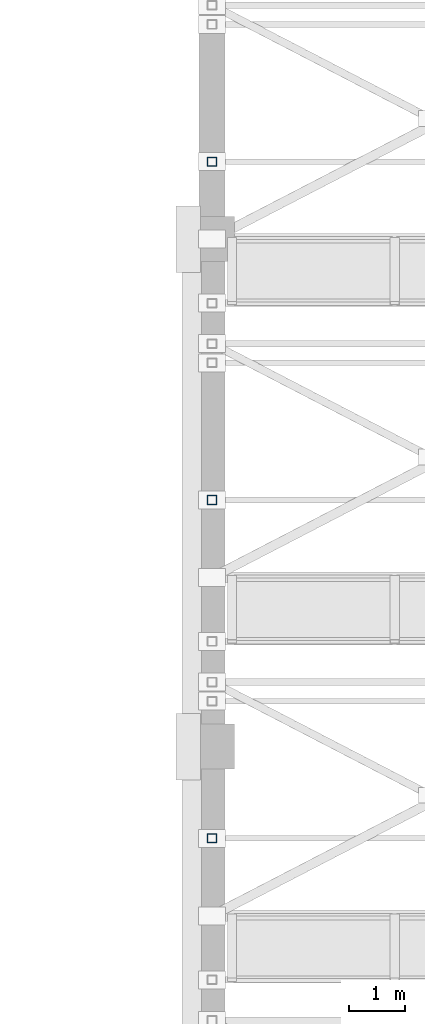
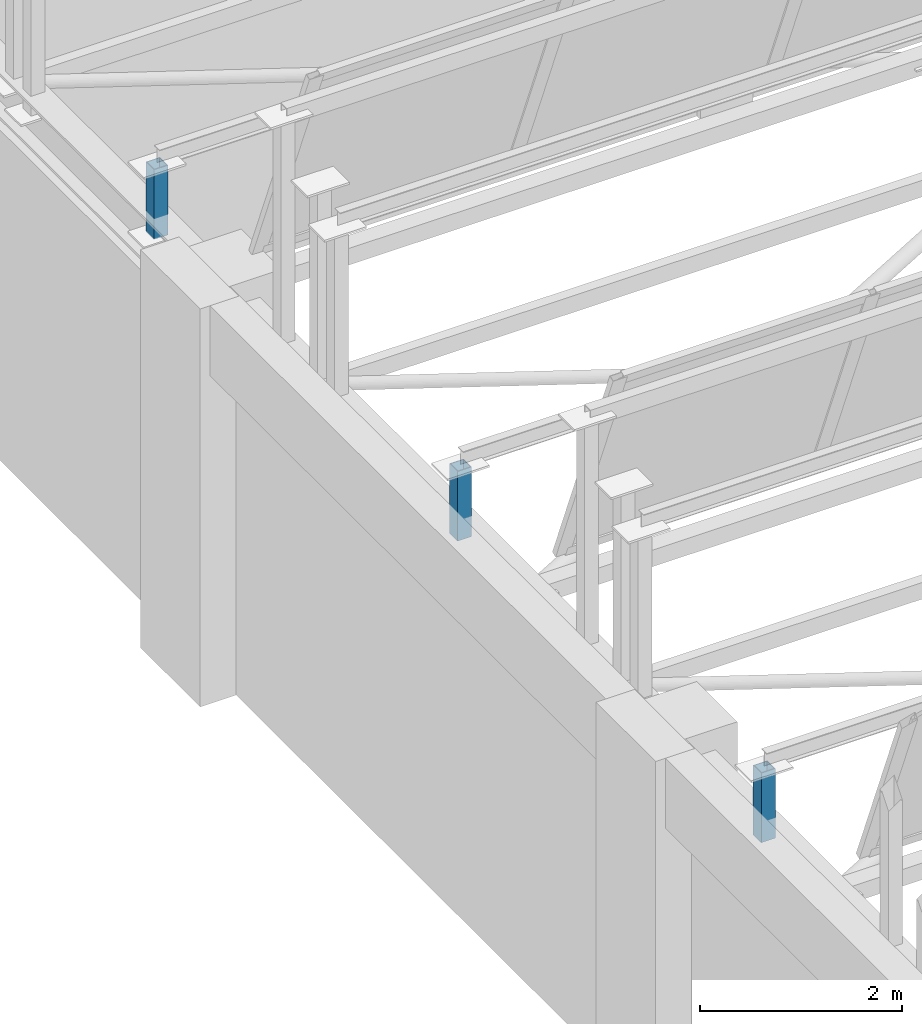
# One storey, part 65 of 98: 3 members.
"""IFC4 building model written with IfcOpenShell, lengths in metres."""

from ifc_helpers import new_model, si_unit, direction, frame, origin, origin_2d, place, context, subcontext, project, spatial, hollow_rectangle, extrude, material, material_profile, profile_set, type_object, element, save


model = new_model("IFC4")

# Units and contexts
model_context = context("Model", 3, precision=1e-05, world=origin(), true_north=direction((0.0, 1.0)))
body_context = subcontext(model_context, "Body", "Model", "MODEL_VIEW")
ifc_project = project(units=[si_unit("LENGTHUNIT", "METRE"), si_unit("AREAUNIT", "SQUARE_METRE"), si_unit("VOLUMEUNIT", "CUBIC_METRE"), si_unit("PLANEANGLEUNIT", "RADIAN"), si_unit("MASSUNIT", "GRAM", prefix="KILO")], contexts=[model_context])

# Site, building, storey
site_placement = place(None, origin())
site = spatial("IfcSite", under=ifc_project, at=site_placement, CompositionType="ELEMENT")
building_placement = place(site_placement, origin())
building = spatial("IfcBuilding", under=site, at=building_placement, Name="Lykobir Media Centre", CompositionType="ELEMENT")
storey_placement = place(building_placement, frame((0.0, 0.0, 10.199951171875)))
storey = spatial("IfcBuildingStorey", under=building, at=storey_placement, Name="L02", CompositionType="ELEMENT", Elevation=10.199951171875)

# Members
ifc_material = material(Name="Steel S355", Category="steel")
ifc_material_profile = material_profile(ifc_material, hollow_rectangle(XDim=0.159912109375, YDim=0.159912109375, WallThickness=0.008056640625, at=origin_2d()), Name="SHS 160x160x8")
ifc_profile_set = profile_set([ifc_material_profile], Name="Steel S355")
member_type = type_object("IfcMemberType", Name="BR-SHS160", PredefinedType="BRACE", material=ifc_profile_set)
for number, where, z_axis, x_axis, name in (
    (1, (144.0, 97.373291015625, 4.300048828125), (0.0, 0.0, 1.0), (1.0, 0.0, 0.0), "Diagonal brace MEM2-L02-1440-0974-0145-1440-0974-0377"),
    (2, (144.0, 103.373291015625, 4.300048828125), (0.0, 0.0, 1.0), (1.0, 0.0, 0.0), "Diagonal brace MEM2-L02-1440-1034-0145-1440-1034-0397"),
    (3, (144.0, 109.373291015625, 4.300048828125), (0.0, 0.0, 1.0), (1.0, 0.0, 0.0), "Diagonal brace MEM2-L02-1440-1094-0145-1440-1094-0417"),
):
    element("IfcMember", number, at=place(storey_placement, frame(where, z_axis=z_axis, x_axis=x_axis)), inside=storey, type_object=member_type, Name=name, PredefinedType="BRACE", context=body_context, shape_type="SweptSolid", body=[
        extrude(hollow_rectangle(XDim=0.159912109375, YDim=0.159912109375, WallThickness=0.008056640625, at=origin_2d()), origin(), (0.0, 0.0, 1.0), 0.84033203125),
    ])

save(model, "model.ifc")
